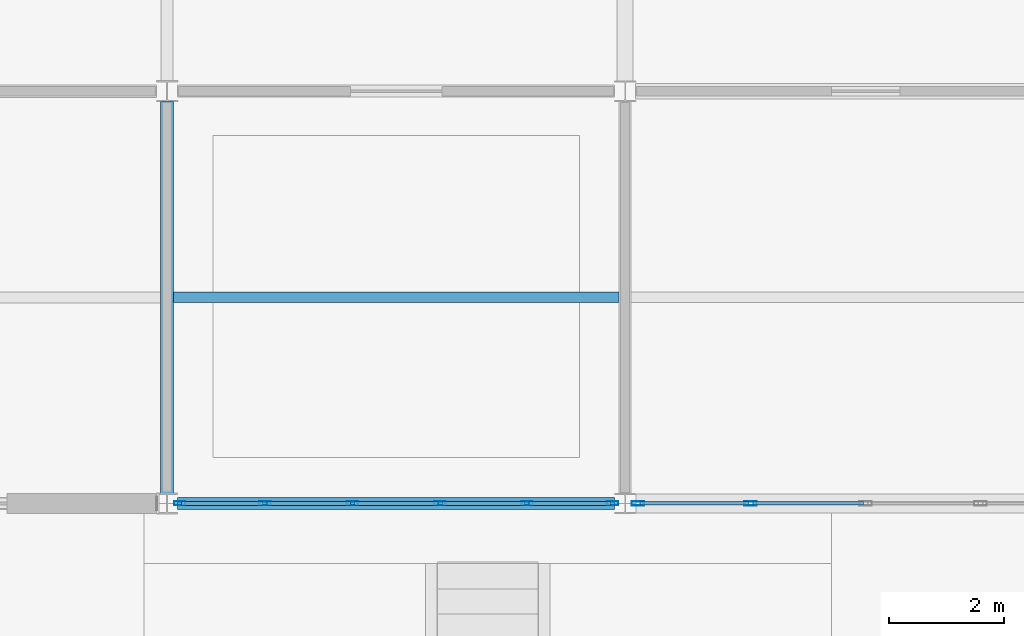
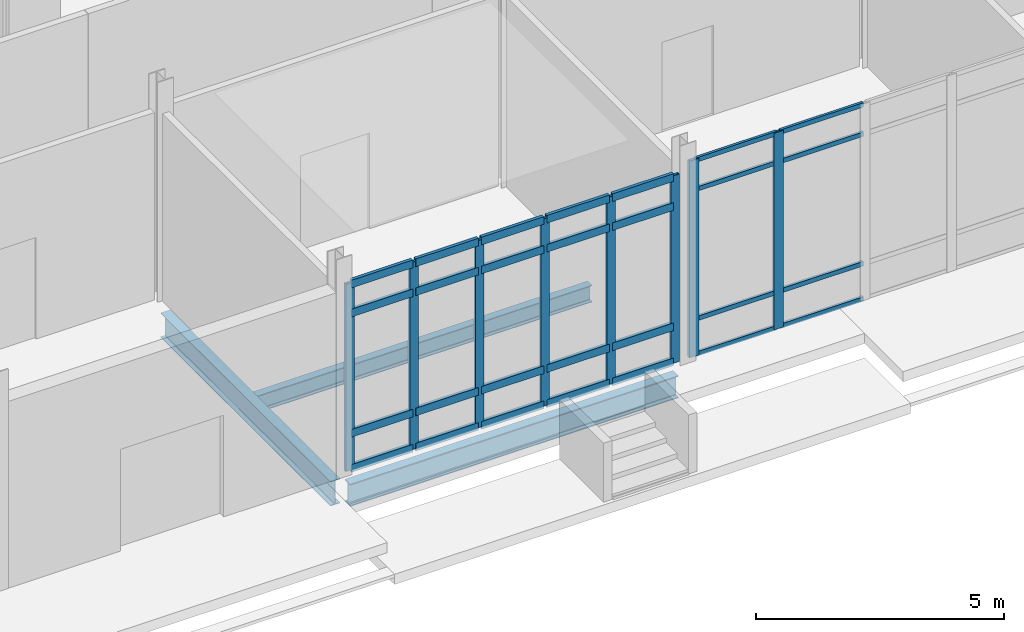
# One storey, part 45 of 229: 36 members, 3 beams, 2 elements without a shape of their own.
"""IFC4 building model written with IfcOpenShell, lengths in metres."""

from ifc_helpers import new_model, si_unit, direction, frame, origin, origin_2d, place, context, subcontext, project, spatial, hollow_rectangle, i_section, extrude, material, layer, layer_set, material_profile, profile_set, type_object, element, aggregate, save


model = new_model("IFC4")

# Units and contexts
model_context = context("Model", 3, precision=1e-05, world=origin(), true_north=direction((0.0, 1.0)))
body_context = subcontext(model_context, "Body", "Model", "MODEL_VIEW")
ifc_project = project(units=[si_unit("LENGTHUNIT", "METRE"), si_unit("AREAUNIT", "SQUARE_METRE"), si_unit("VOLUMEUNIT", "CUBIC_METRE"), si_unit("PLANEANGLEUNIT", "RADIAN"), si_unit("MASSUNIT", "GRAM", prefix="KILO")], contexts=[model_context])

# Site, building, storey
site_placement = place(None, origin())
site = spatial("IfcSite", under=ifc_project, at=site_placement, CompositionType="ELEMENT")
building_placement = place(site_placement, origin())
building = spatial("IfcBuilding", under=site, at=building_placement, Name="Calvrana Isthmian Art Gallery", CompositionType="ELEMENT")
storey_placement = place(building_placement, origin())
storey = spatial("IfcBuildingStorey", under=building, at=storey_placement, Name="L00", CompositionType="ELEMENT", Elevation=0.0)

# Beams
ifc_material_1 = material(Name="Steel ASTM A992 Gr 50", Category="steel")
ifc_material_profile_1 = material_profile(ifc_material_1, i_section(OverallWidth=0.214111328125, OverallDepth=0.549072265625, WebThickness=0.0146484375, FlangeThickness=0.023681640625, FilletRadius=0.02099609375, at=origin_2d()), Name="W21X93")
ifc_profile_set_1 = profile_set([ifc_material_profile_1], Name="Steel ASTM A992 Gr 50")
beam_type_1 = type_object("IfcBeamType", Name="BM-G-W21X93", PredefinedType="BEAM", material=ifc_profile_set_1)
beam_1_placement = place(storey_placement, frame((96.583984375, 0.0, -0.5595703125), z_axis=(1.0, 0.0, 0.0), x_axis=(0.0, 1.0, 0.0)))
element("IfcBeam", 1, at=beam_1_placement, inside=storey, type_object=beam_type_1, Name="Girder X L00 13-14/A", PredefinedType="BEAM", context=body_context, shape_type="SweptSolid", body=[
    extrude(i_section(OverallWidth=0.214111328125, OverallDepth=0.549072265625, WebThickness=0.0146484375, FlangeThickness=0.023681640625, FilletRadius=0.02099609375, at=origin_2d()), origin(), (0.0, 0.0, 1.0), 7.62939453125),
])
ifc_material_profile_2 = material_profile(ifc_material_1, i_section(OverallWidth=0.22802734375, OverallDepth=0.60693359375, WebThickness=0.01123046875, FlangeThickness=0.017333984375, FilletRadius=0.02197265625, at=origin_2d()), Name="W24X76")
ifc_profile_set_2 = profile_set([ifc_material_profile_2], Name="Steel ASTM A992 Gr 50")
beam_type_2 = type_object("IfcBeamType", Name="BM-G-W24X76", PredefinedType="BEAM", material=ifc_profile_set_2)
beam_2_placement = place(storey_placement, frame((96.39990234375, 0.177978515625, -0.58837890625), z_axis=(0.0, 1.0, 0.0), x_axis=(-1.0, 0.0, 0.0)))
element("IfcBeam", 2, at=beam_2_placement, inside=storey, type_object=beam_type_2, Name="Girder Y L00 13/A-B", PredefinedType="BEAM", context=body_context, shape_type="SweptSolid", body=[
    extrude(i_section(OverallWidth=0.22802734375, OverallDepth=0.60693359375, WebThickness=0.01123046875, FlangeThickness=0.017333984375, FilletRadius=0.02197265625, at=origin_2d()), origin(), (0.0, 0.0, 1.0), 6.840576171875),
])
ifc_material_profile_3 = material_profile(ifc_material_1, i_section(OverallWidth=0.179931640625, OverallDepth=0.4140625, WebThickness=0.009765625, FlangeThickness=0.01611328125, FilletRadius=0.01806640625, at=origin_2d()), Name="W16X50")
ifc_profile_set_3 = profile_set([ifc_material_profile_3], Name="Steel ASTM A992 Gr 50")
beam_type_3 = type_object("IfcBeamType", Name="BM-J-W16X50", PredefinedType="JOIST", material=ifc_profile_set_3)
beam_3_placement = place(storey_placement, frame((96.513916015625, 3.60009765625, -0.491943359375), z_axis=(1.0, 0.0, 0.0), x_axis=(0.0, 1.0, 0.0)))
element("IfcBeam", 3, at=beam_3_placement, inside=storey, type_object=beam_type_3, Name="Composite joist L00 bay 12-00", PredefinedType="JOIST", context=body_context, shape_type="SweptSolid", body=[
    extrude(i_section(OverallWidth=0.179931640625, OverallDepth=0.4140625, WebThickness=0.009765625, FlangeThickness=0.01611328125, FilletRadius=0.01806640625, at=origin_2d()), origin(), (0.0, 0.0, 1.0), 7.781494140625),
])

# Curtain wall, members
ifc_material_2 = material(Name="Anodized bronze aluminium 6063-T6", Category="aluminium")
ifc_layer_1 = layer(ifc_material_2, 0.179931640625, Name="Anodized bronze aluminium 6063-T6")
ifc_layer_set_1 = layer_set([ifc_layer_1], Name="Anodized bronze aluminium 6063-T6")
curtain_wall_type_1 = type_object("IfcCurtainWallType", Name="CW-UNIT-076X46", PredefinedType="USERDEFINED", material=ifc_layer_set_1)
curtain_wall_1_placement = place(storey_placement, origin())
curtain_wall_1 = element("IfcCurtainWall", 4, at=curtain_wall_1_placement, inside=storey, type_object=curtain_wall_type_1, Name="Curtain wall CW-009", ObjectType="UNITISED CURTAIN WALL", PredefinedType="USERDEFINED")
ifc_material_profile_4 = material_profile(ifc_material_2, hollow_rectangle(XDim=0.070068359375, YDim=0.199951171875, WallThickness=0.0048828125, at=origin_2d()), Name="CWM70X200")
ifc_profile_set_4 = profile_set([ifc_material_profile_4], Name="Anodized bronze aluminium 6063-T6")
member_type_1 = type_object("IfcMemberType", Name="CWM-CWM70X200", PredefinedType="MULLION", material=ifc_profile_set_4)
member_1_placement = place(storey_placement, frame((104.180908203125, 0.0, 0.0), z_axis=(0.0, 0.0, 1.0), x_axis=(0.0, -1.0, 0.0)))
member_1 = element("IfcMember", 5, at=member_1_placement, type_object=member_type_1, Name="CW-009 mullion 1", PredefinedType="MULLION", context=body_context, shape_type="SweptSolid", body=[
    extrude(hollow_rectangle(XDim=0.070068359375, YDim=0.199951171875, WallThickness=0.0048828125, at=origin_2d()), origin(), (0.0, 0.0, 1.0), 4.60693359375),
])
member_2_placement = place(storey_placement, frame((102.68994140625, 0.0, 0.0), z_axis=(0.0, 0.0, 1.0), x_axis=(0.0, -1.0, 0.0)))
member_2 = element("IfcMember", 6, at=member_2_placement, type_object=member_type_1, Name="CW-009 mullion 2", PredefinedType="MULLION", context=body_context, shape_type="SweptSolid", body=[
    extrude(hollow_rectangle(XDim=0.070068359375, YDim=0.199951171875, WallThickness=0.0048828125, at=origin_2d()), origin(), (0.0, 0.0, 1.0), 4.60693359375),
])
member_3_placement = place(storey_placement, frame((101.163818359375, 0.0, 0.0), z_axis=(0.0, 0.0, 1.0), x_axis=(0.0, -1.0, 0.0)))
member_3 = element("IfcMember", 7, at=member_3_placement, type_object=member_type_1, Name="CW-009 mullion 3", PredefinedType="MULLION", context=body_context, shape_type="SweptSolid", body=[
    extrude(hollow_rectangle(XDim=0.070068359375, YDim=0.199951171875, WallThickness=0.0048828125, at=origin_2d()), origin(), (0.0, 0.0, 1.0), 4.60693359375),
])
member_4_placement = place(storey_placement, frame((99.6376953125, 0.0, 0.0), z_axis=(0.0, 0.0, 1.0), x_axis=(0.0, -1.0, 0.0)))
member_4 = element("IfcMember", 8, at=member_4_placement, type_object=member_type_1, Name="CW-009 mullion 4", PredefinedType="MULLION", context=body_context, shape_type="SweptSolid", body=[
    extrude(hollow_rectangle(XDim=0.070068359375, YDim=0.199951171875, WallThickness=0.0048828125, at=origin_2d()), origin(), (0.0, 0.0, 1.0), 4.60693359375),
])
member_5_placement = place(storey_placement, frame((98.111572265625, 0.0, 0.0), z_axis=(0.0, 0.0, 1.0), x_axis=(0.0, -1.0, 0.0)))
member_5 = element("IfcMember", 9, at=member_5_placement, type_object=member_type_1, Name="CW-009 mullion 5", PredefinedType="MULLION", context=body_context, shape_type="SweptSolid", body=[
    extrude(hollow_rectangle(XDim=0.070068359375, YDim=0.199951171875, WallThickness=0.0048828125, at=origin_2d()), origin(), (0.0, 0.0, 1.0), 4.60693359375),
])
member_6_placement = place(storey_placement, frame((96.62060546875, 0.0, 0.0), z_axis=(0.0, 0.0, 1.0), x_axis=(0.0, -1.0, 0.0)))
member_6 = element("IfcMember", 10, at=member_6_placement, type_object=member_type_1, Name="CW-009 mullion 6", PredefinedType="MULLION", context=body_context, shape_type="SweptSolid", body=[
    extrude(hollow_rectangle(XDim=0.070068359375, YDim=0.199951171875, WallThickness=0.0048828125, at=origin_2d()), origin(), (0.0, 0.0, 1.0), 4.60693359375),
])

ifc_layer_2 = layer(ifc_material_2, 0.179931640625, Name="Anodized bronze aluminium 6063-T6")
ifc_layer_set_2 = layer_set([ifc_layer_2], Name="Anodized bronze aluminium 6063-T6")
curtain_wall_type_2 = type_object("IfcCurtainWallType", Name="CW-UNIT-080X48", PredefinedType="USERDEFINED", material=ifc_layer_set_2)
curtain_wall_2_placement = place(storey_placement, origin())
curtain_wall_2 = element("IfcCurtainWall", 11, at=curtain_wall_2_placement, inside=storey, type_object=curtain_wall_type_2, Name="Curtain wall CW-010", ObjectType="UNITISED CURTAIN WALL", PredefinedType="USERDEFINED")
ifc_material_profile_5 = material_profile(ifc_material_2, hollow_rectangle(XDim=0.074951171875, YDim=0.219970703125, WallThickness=0.0048828125, at=origin_2d()), Name="CWM75X220")
ifc_profile_set_5 = profile_set([ifc_material_profile_5], Name="Anodized bronze aluminium 6063-T6")
member_type_2 = type_object("IfcMemberType", Name="CWM-CWM75X220", PredefinedType="MULLION", material=ifc_profile_set_5)
member_7_placement = place(storey_placement, frame((106.59130859375, 0.0, 0.0), z_axis=(0.0, 0.0, 1.0), x_axis=(0.0, -1.0, 0.0)))
member_7 = element("IfcMember", 12, at=member_7_placement, type_object=member_type_2, Name="CW-010 mullion 4", PredefinedType="MULLION", context=body_context, shape_type="SweptSolid", body=[
    extrude(hollow_rectangle(XDim=0.074951171875, YDim=0.219970703125, WallThickness=0.0048828125, at=origin_2d()), origin(), (0.0, 0.0, 1.0), 4.835205078125),
])
member_8_placement = place(storey_placement, frame((104.62158203125, 0.0, 0.0), z_axis=(0.0, 0.0, 1.0), x_axis=(0.0, -1.0, 0.0)))
member_8 = element("IfcMember", 13, at=member_8_placement, type_object=member_type_2, Name="CW-010 mullion 5", PredefinedType="MULLION", context=body_context, shape_type="SweptSolid", body=[
    extrude(hollow_rectangle(XDim=0.074951171875, YDim=0.219970703125, WallThickness=0.0048828125, at=origin_2d()), origin(), (0.0, 0.0, 1.0), 4.835205078125),
])
ifc_material_profile_6 = material_profile(ifc_material_2, hollow_rectangle(XDim=0.06005859375, YDim=0.110107421875, WallThickness=0.00341796875, at=origin_2d()), Name="CWT60X110")
ifc_profile_set_6 = profile_set([ifc_material_profile_6], Name="Anodized bronze aluminium 6063-T6")
member_type_3 = type_object("IfcMemberType", Name="CWT-CWT60X110", PredefinedType="USERDEFINED", material=ifc_profile_set_6)
member_9_placement = place(storey_placement, frame((108.561279296875, 0.0, 0.030029296875), z_axis=(-1.0, 0.0, 0.0), x_axis=(0.0, -1.0, 0.0)))
member_9 = element("IfcMember", 14, at=member_9_placement, type_object=member_type_3, Name="CW-010 transom 3.1", ObjectType="TRANSOM", PredefinedType="USERDEFINED", context=body_context, shape_type="SweptSolid", body=[
    extrude(hollow_rectangle(XDim=0.06005859375, YDim=0.110107421875, WallThickness=0.00341796875, at=origin_2d()), origin(), (0.0, 0.0, 1.0), 1.932373046875),
])
member_10_placement = place(storey_placement, frame((108.561279296875, 0.0, 0.89990234375), z_axis=(-1.0, 0.0, 0.0), x_axis=(0.0, -1.0, 0.0)))
member_10 = element("IfcMember", 15, at=member_10_placement, type_object=member_type_3, Name="CW-010 transom 3.2", ObjectType="TRANSOM", PredefinedType="USERDEFINED", context=body_context, shape_type="SweptSolid", body=[
    extrude(hollow_rectangle(XDim=0.06005859375, YDim=0.110107421875, WallThickness=0.00341796875, at=origin_2d()), origin(), (0.0, 0.0, 1.0), 1.932373046875),
])
member_11_placement = place(storey_placement, frame((108.561279296875, 0.0, 4.085205078125), z_axis=(-1.0, 0.0, 0.0), x_axis=(0.0, -1.0, 0.0)))
member_11 = element("IfcMember", 16, at=member_11_placement, type_object=member_type_3, Name="CW-010 transom 3.3", ObjectType="TRANSOM", PredefinedType="USERDEFINED", context=body_context, shape_type="SweptSolid", body=[
    extrude(hollow_rectangle(XDim=0.06005859375, YDim=0.110107421875, WallThickness=0.00341796875, at=origin_2d()), origin(), (0.0, 0.0, 1.0), 1.932373046875),
])
member_12_placement = place(storey_placement, frame((108.561279296875, 0.0, 4.80517578125), z_axis=(-1.0, 0.0, 0.0), x_axis=(0.0, -1.0, 0.0)))
member_12 = element("IfcMember", 17, at=member_12_placement, type_object=member_type_3, Name="CW-010 transom 3.4", ObjectType="TRANSOM", PredefinedType="USERDEFINED", context=body_context, shape_type="SweptSolid", body=[
    extrude(hollow_rectangle(XDim=0.06005859375, YDim=0.110107421875, WallThickness=0.00341796875, at=origin_2d()), origin(), (0.0, 0.0, 1.0), 1.932373046875),
])
member_13_placement = place(storey_placement, frame((106.553955078125, 0.0, 0.030029296875), z_axis=(-1.0, 0.0, 0.0), x_axis=(0.0, -1.0, 0.0)))
member_13 = element("IfcMember", 18, at=member_13_placement, type_object=member_type_3, Name="CW-010 transom 4.1", ObjectType="TRANSOM", PredefinedType="USERDEFINED", context=body_context, shape_type="SweptSolid", body=[
    extrude(hollow_rectangle(XDim=0.06005859375, YDim=0.110107421875, WallThickness=0.00341796875, at=origin_2d()), origin(), (0.0, 0.0, 1.0), 1.89501953125),
])
member_14_placement = place(storey_placement, frame((106.553955078125, 0.0, 0.89990234375), z_axis=(-1.0, 0.0, 0.0), x_axis=(0.0, -1.0, 0.0)))
member_14 = element("IfcMember", 19, at=member_14_placement, type_object=member_type_3, Name="CW-010 transom 4.2", ObjectType="TRANSOM", PredefinedType="USERDEFINED", context=body_context, shape_type="SweptSolid", body=[
    extrude(hollow_rectangle(XDim=0.06005859375, YDim=0.110107421875, WallThickness=0.00341796875, at=origin_2d()), origin(), (0.0, 0.0, 1.0), 1.89501953125),
])
member_15_placement = place(storey_placement, frame((106.553955078125, 0.0, 4.085205078125), z_axis=(-1.0, 0.0, 0.0), x_axis=(0.0, -1.0, 0.0)))
member_15 = element("IfcMember", 20, at=member_15_placement, type_object=member_type_3, Name="CW-010 transom 4.3", ObjectType="TRANSOM", PredefinedType="USERDEFINED", context=body_context, shape_type="SweptSolid", body=[
    extrude(hollow_rectangle(XDim=0.06005859375, YDim=0.110107421875, WallThickness=0.00341796875, at=origin_2d()), origin(), (0.0, 0.0, 1.0), 1.89501953125),
])
member_16_placement = place(storey_placement, frame((106.553955078125, 0.0, 4.80517578125), z_axis=(-1.0, 0.0, 0.0), x_axis=(0.0, -1.0, 0.0)))
member_16 = element("IfcMember", 21, at=member_16_placement, type_object=member_type_3, Name="CW-010 transom 4.4", ObjectType="TRANSOM", PredefinedType="USERDEFINED", context=body_context, shape_type="SweptSolid", body=[
    extrude(hollow_rectangle(XDim=0.06005859375, YDim=0.110107421875, WallThickness=0.00341796875, at=origin_2d()), origin(), (0.0, 0.0, 1.0), 1.89501953125),
])
aggregate(curtain_wall_2, [member_7, member_8, member_9, member_10, member_11, member_12, member_13, member_14, member_15, member_16])

# Member
ifc_material_profile_7 = material_profile(ifc_material_2, hollow_rectangle(XDim=0.074951171875, YDim=0.18994140625, WallThickness=0.00439453125, at=origin_2d()), Name="CWT75X190")
ifc_profile_set_7 = profile_set([ifc_material_profile_7], Name="Anodized bronze aluminium 6063-T6")
member_type_4 = type_object("IfcMemberType", Name="CWT-CWT75X190", PredefinedType="USERDEFINED", material=ifc_profile_set_7)
member_17_placement = place(storey_placement, frame((104.14599609375, 0.0, 0.03759765625), z_axis=(-1.0, 0.0, 0.0), x_axis=(0.0, -1.0, 0.0)))
member_17 = element("IfcMember", 22, at=member_17_placement, type_object=member_type_4, Name="CW-009 transom 1.1", ObjectType="TRANSOM", PredefinedType="USERDEFINED", context=body_context, shape_type="SweptSolid", body=[
    extrude(hollow_rectangle(XDim=0.074951171875, YDim=0.18994140625, WallThickness=0.00439453125, at=origin_2d()), origin(), (0.0, 0.0, 1.0), 1.421142578125),
])

member_18_placement = place(storey_placement, frame((104.14599609375, 0.0, 0.89990234375), z_axis=(-1.0, 0.0, 0.0), x_axis=(0.0, -1.0, 0.0)))
member_18 = element("IfcMember", 23, at=member_18_placement, type_object=member_type_4, Name="CW-009 transom 1.2", ObjectType="TRANSOM", PredefinedType="USERDEFINED", context=body_context, shape_type="SweptSolid", body=[
    extrude(hollow_rectangle(XDim=0.074951171875, YDim=0.18994140625, WallThickness=0.00439453125, at=origin_2d()), origin(), (0.0, 0.0, 1.0), 1.421142578125),
])

member_19_placement = place(storey_placement, frame((104.14599609375, 0.0, 3.85693359375), z_axis=(-1.0, 0.0, 0.0), x_axis=(0.0, -1.0, 0.0)))
member_19 = element("IfcMember", 24, at=member_19_placement, type_object=member_type_4, Name="CW-009 transom 1.3", ObjectType="TRANSOM", PredefinedType="USERDEFINED", context=body_context, shape_type="SweptSolid", body=[
    extrude(hollow_rectangle(XDim=0.074951171875, YDim=0.18994140625, WallThickness=0.00439453125, at=origin_2d()), origin(), (0.0, 0.0, 1.0), 1.421142578125),
])

member_20_placement = place(storey_placement, frame((104.14599609375, 0.0, 4.569580078125), z_axis=(-1.0, 0.0, 0.0), x_axis=(0.0, -1.0, 0.0)))
member_20 = element("IfcMember", 25, at=member_20_placement, type_object=member_type_4, Name="CW-009 transom 1.4", ObjectType="TRANSOM", PredefinedType="USERDEFINED", context=body_context, shape_type="SweptSolid", body=[
    extrude(hollow_rectangle(XDim=0.074951171875, YDim=0.18994140625, WallThickness=0.00439453125, at=origin_2d()), origin(), (0.0, 0.0, 1.0), 1.421142578125),
])

member_21_placement = place(storey_placement, frame((102.65478515625, 0.0, 0.03759765625), z_axis=(-1.0, 0.0, 0.0), x_axis=(0.0, -1.0, 0.0)))
member_21 = element("IfcMember", 26, at=member_21_placement, type_object=member_type_4, Name="CW-009 transom 2.1", ObjectType="TRANSOM", PredefinedType="USERDEFINED", context=body_context, shape_type="SweptSolid", body=[
    extrude(hollow_rectangle(XDim=0.074951171875, YDim=0.18994140625, WallThickness=0.00439453125, at=origin_2d()), origin(), (0.0, 0.0, 1.0), 1.4560546875),
])

member_22_placement = place(storey_placement, frame((102.65478515625, 0.0, 0.89990234375), z_axis=(-1.0, 0.0, 0.0), x_axis=(0.0, -1.0, 0.0)))
member_22 = element("IfcMember", 27, at=member_22_placement, type_object=member_type_4, Name="CW-009 transom 2.2", ObjectType="TRANSOM", PredefinedType="USERDEFINED", context=body_context, shape_type="SweptSolid", body=[
    extrude(hollow_rectangle(XDim=0.074951171875, YDim=0.18994140625, WallThickness=0.00439453125, at=origin_2d()), origin(), (0.0, 0.0, 1.0), 1.4560546875),
])

member_23_placement = place(storey_placement, frame((102.65478515625, 0.0, 3.85693359375), z_axis=(-1.0, 0.0, 0.0), x_axis=(0.0, -1.0, 0.0)))
member_23 = element("IfcMember", 28, at=member_23_placement, type_object=member_type_4, Name="CW-009 transom 2.3", ObjectType="TRANSOM", PredefinedType="USERDEFINED", context=body_context, shape_type="SweptSolid", body=[
    extrude(hollow_rectangle(XDim=0.074951171875, YDim=0.18994140625, WallThickness=0.00439453125, at=origin_2d()), origin(), (0.0, 0.0, 1.0), 1.4560546875),
])

member_24_placement = place(storey_placement, frame((102.65478515625, 0.0, 4.569580078125), z_axis=(-1.0, 0.0, 0.0), x_axis=(0.0, -1.0, 0.0)))
member_24 = element("IfcMember", 29, at=member_24_placement, type_object=member_type_4, Name="CW-009 transom 2.4", ObjectType="TRANSOM", PredefinedType="USERDEFINED", context=body_context, shape_type="SweptSolid", body=[
    extrude(hollow_rectangle(XDim=0.074951171875, YDim=0.18994140625, WallThickness=0.00439453125, at=origin_2d()), origin(), (0.0, 0.0, 1.0), 1.4560546875),
])

member_25_placement = place(storey_placement, frame((101.12890625, 0.0, 0.03759765625), z_axis=(-1.0, 0.0, 0.0), x_axis=(0.0, -1.0, 0.0)))
member_25 = element("IfcMember", 30, at=member_25_placement, type_object=member_type_4, Name="CW-009 transom 3.1", ObjectType="TRANSOM", PredefinedType="USERDEFINED", context=body_context, shape_type="SweptSolid", body=[
    extrude(hollow_rectangle(XDim=0.074951171875, YDim=0.18994140625, WallThickness=0.00439453125, at=origin_2d()), origin(), (0.0, 0.0, 1.0), 1.456298828125),
])

member_26_placement = place(storey_placement, frame((101.12890625, 0.0, 0.89990234375), z_axis=(-1.0, 0.0, 0.0), x_axis=(0.0, -1.0, 0.0)))
member_26 = element("IfcMember", 31, at=member_26_placement, type_object=member_type_4, Name="CW-009 transom 3.2", ObjectType="TRANSOM", PredefinedType="USERDEFINED", context=body_context, shape_type="SweptSolid", body=[
    extrude(hollow_rectangle(XDim=0.074951171875, YDim=0.18994140625, WallThickness=0.00439453125, at=origin_2d()), origin(), (0.0, 0.0, 1.0), 1.456298828125),
])

member_27_placement = place(storey_placement, frame((101.12890625, 0.0, 3.85693359375), z_axis=(-1.0, 0.0, 0.0), x_axis=(0.0, -1.0, 0.0)))
member_27 = element("IfcMember", 32, at=member_27_placement, type_object=member_type_4, Name="CW-009 transom 3.3", ObjectType="TRANSOM", PredefinedType="USERDEFINED", context=body_context, shape_type="SweptSolid", body=[
    extrude(hollow_rectangle(XDim=0.074951171875, YDim=0.18994140625, WallThickness=0.00439453125, at=origin_2d()), origin(), (0.0, 0.0, 1.0), 1.456298828125),
])

member_28_placement = place(storey_placement, frame((101.12890625, 0.0, 4.569580078125), z_axis=(-1.0, 0.0, 0.0), x_axis=(0.0, -1.0, 0.0)))
member_28 = element("IfcMember", 33, at=member_28_placement, type_object=member_type_4, Name="CW-009 transom 3.4", ObjectType="TRANSOM", PredefinedType="USERDEFINED", context=body_context, shape_type="SweptSolid", body=[
    extrude(hollow_rectangle(XDim=0.074951171875, YDim=0.18994140625, WallThickness=0.00439453125, at=origin_2d()), origin(), (0.0, 0.0, 1.0), 1.456298828125),
])

member_29_placement = place(storey_placement, frame((99.602783203125, 0.0, 0.03759765625), z_axis=(-1.0, 0.0, 0.0), x_axis=(0.0, -1.0, 0.0)))
member_29 = element("IfcMember", 34, at=member_29_placement, type_object=member_type_4, Name="CW-009 transom 4.1", ObjectType="TRANSOM", PredefinedType="USERDEFINED", context=body_context, shape_type="SweptSolid", body=[
    extrude(hollow_rectangle(XDim=0.074951171875, YDim=0.18994140625, WallThickness=0.00439453125, at=origin_2d()), origin(), (0.0, 0.0, 1.0), 1.456298828125),
])

member_30_placement = place(storey_placement, frame((99.602783203125, 0.0, 0.89990234375), z_axis=(-1.0, 0.0, 0.0), x_axis=(0.0, -1.0, 0.0)))
member_30 = element("IfcMember", 35, at=member_30_placement, type_object=member_type_4, Name="CW-009 transom 4.2", ObjectType="TRANSOM", PredefinedType="USERDEFINED", context=body_context, shape_type="SweptSolid", body=[
    extrude(hollow_rectangle(XDim=0.074951171875, YDim=0.18994140625, WallThickness=0.00439453125, at=origin_2d()), origin(), (0.0, 0.0, 1.0), 1.456298828125),
])

member_31_placement = place(storey_placement, frame((99.602783203125, 0.0, 3.85693359375), z_axis=(-1.0, 0.0, 0.0), x_axis=(0.0, -1.0, 0.0)))
member_31 = element("IfcMember", 36, at=member_31_placement, type_object=member_type_4, Name="CW-009 transom 4.3", ObjectType="TRANSOM", PredefinedType="USERDEFINED", context=body_context, shape_type="SweptSolid", body=[
    extrude(hollow_rectangle(XDim=0.074951171875, YDim=0.18994140625, WallThickness=0.00439453125, at=origin_2d()), origin(), (0.0, 0.0, 1.0), 1.456298828125),
])

member_32_placement = place(storey_placement, frame((99.602783203125, 0.0, 4.569580078125), z_axis=(-1.0, 0.0, 0.0), x_axis=(0.0, -1.0, 0.0)))
member_32 = element("IfcMember", 37, at=member_32_placement, type_object=member_type_4, Name="CW-009 transom 4.4", ObjectType="TRANSOM", PredefinedType="USERDEFINED", context=body_context, shape_type="SweptSolid", body=[
    extrude(hollow_rectangle(XDim=0.074951171875, YDim=0.18994140625, WallThickness=0.00439453125, at=origin_2d()), origin(), (0.0, 0.0, 1.0), 1.456298828125),
])

member_33_placement = place(storey_placement, frame((98.07666015625, 0.0, 0.03759765625), z_axis=(-1.0, 0.0, 0.0), x_axis=(0.0, -1.0, 0.0)))
member_33 = element("IfcMember", 38, at=member_33_placement, type_object=member_type_4, Name="CW-009 transom 5.1", ObjectType="TRANSOM", PredefinedType="USERDEFINED", context=body_context, shape_type="SweptSolid", body=[
    extrude(hollow_rectangle(XDim=0.074951171875, YDim=0.18994140625, WallThickness=0.00439453125, at=origin_2d()), origin(), (0.0, 0.0, 1.0), 1.421142578125),
])

member_34_placement = place(storey_placement, frame((98.07666015625, 0.0, 0.89990234375), z_axis=(-1.0, 0.0, 0.0), x_axis=(0.0, -1.0, 0.0)))
member_34 = element("IfcMember", 39, at=member_34_placement, type_object=member_type_4, Name="CW-009 transom 5.2", ObjectType="TRANSOM", PredefinedType="USERDEFINED", context=body_context, shape_type="SweptSolid", body=[
    extrude(hollow_rectangle(XDim=0.074951171875, YDim=0.18994140625, WallThickness=0.00439453125, at=origin_2d()), origin(), (0.0, 0.0, 1.0), 1.421142578125),
])

member_35_placement = place(storey_placement, frame((98.07666015625, 0.0, 3.85693359375), z_axis=(-1.0, 0.0, 0.0), x_axis=(0.0, -1.0, 0.0)))
member_35 = element("IfcMember", 40, at=member_35_placement, type_object=member_type_4, Name="CW-009 transom 5.3", ObjectType="TRANSOM", PredefinedType="USERDEFINED", context=body_context, shape_type="SweptSolid", body=[
    extrude(hollow_rectangle(XDim=0.074951171875, YDim=0.18994140625, WallThickness=0.00439453125, at=origin_2d()), origin(), (0.0, 0.0, 1.0), 1.421142578125),
])

member_36_placement = place(storey_placement, frame((98.07666015625, 0.0, 4.569580078125), z_axis=(-1.0, 0.0, 0.0), x_axis=(0.0, -1.0, 0.0)))
member_36 = element("IfcMember", 41, at=member_36_placement, type_object=member_type_4, Name="CW-009 transom 5.4", ObjectType="TRANSOM", PredefinedType="USERDEFINED", context=body_context, shape_type="SweptSolid", body=[
    extrude(hollow_rectangle(XDim=0.074951171875, YDim=0.18994140625, WallThickness=0.00439453125, at=origin_2d()), origin(), (0.0, 0.0, 1.0), 1.421142578125),
])

aggregate(curtain_wall_1, [member_1, member_2, member_3, member_4, member_5, member_6, member_17, member_18, member_19, member_20, member_21, member_22, member_23, member_24, member_25, member_26, member_27, member_28, member_29, member_30, member_31, member_32, member_33, member_34, member_35, member_36])

save(model, "model.ifc")
